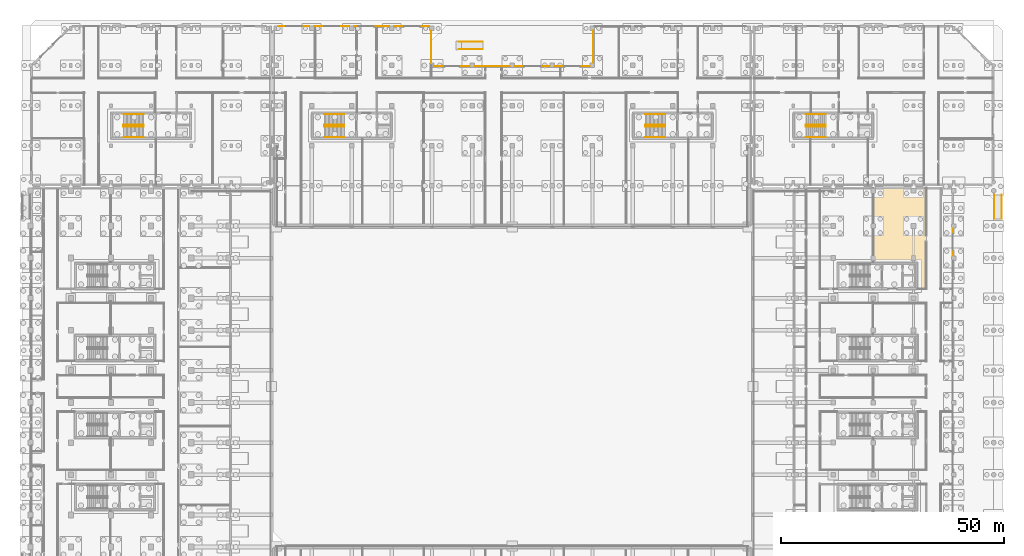
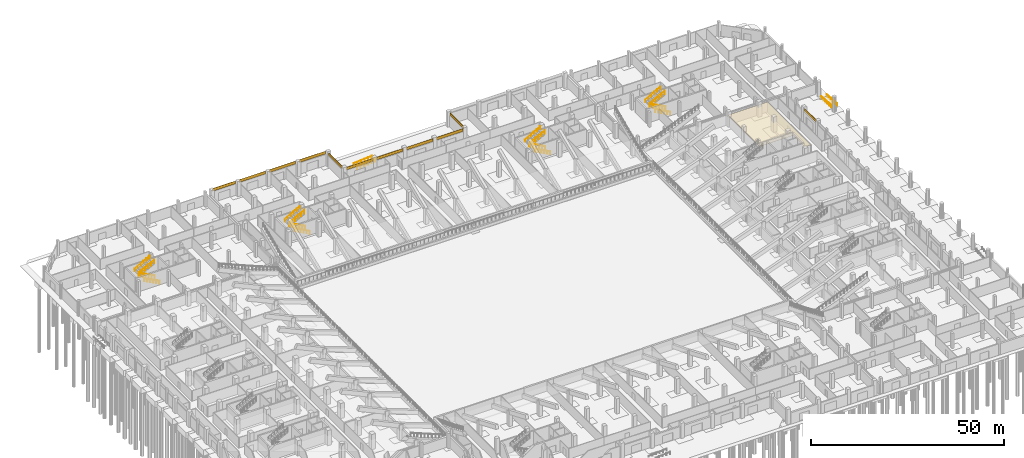
# One storey, part 51 of 53: 16 railings, 12 coverings.
"""IFC4 building model written with IfcOpenShell, lengths in metres."""

import ifcopenshell
import ifcopenshell.guid

model = None  # the IFC model being written
_history = None  # IfcOwnerHistory: only IFC2X3 demands one
_inside = {}  # id of a spatial element -> (the spatial element, [elements in it])
_under = {}  # id of a project, library or spatial element -> (it, [spatial elements below it])
_declared = {}  # id of a project -> (the project, [libraries it declares])
_typed = {}  # id of a type object -> (the type object, [elements of that type])
_made_of = {}  # id of a material, layer set ... -> (it, [elements and type objects made of it])


def new_model(schema):
    """Start an empty IFC model of exactly this schema.

    Asked for "IFC4X3", IfcOpenShell would pick the latest addendum, in which some entities
    have other attributes; the version numbers below select the first issue.
    IFC2X3 requires an IfcOwnerHistory on every rooted entity: one is made here for all.
    """
    global model, _history
    if schema == "IFC4X3":
        model = ifcopenshell.file(schema_version=(4, 3, 0, 0))
    else:
        model = ifcopenshell.file(schema=schema)
    _inside.clear()
    _under.clear()
    _declared.clear()
    _typed.clear()
    _made_of.clear()
    _history = None
    if model.schema == "IFC2X3":
        org = make("IfcOrganization", Name="unknown")
        user = make(
            "IfcPersonAndOrganization",
            ThePerson=make("IfcPerson", FamilyName="unknown"),
            TheOrganization=org,
        )
        app = make(
            "IfcApplication",
            ApplicationDeveloper=org,
            Version="unknown",
            ApplicationFullName="unknown",
            ApplicationIdentifier="unknown",
        )
        _history = make(
            "IfcOwnerHistory",
            OwningUser=user,
            OwningApplication=app,
            ChangeAction="ADDED",
            CreationDate=0,
        )
    return model


def make(cls, **values):
    """One entity of the class cls with the attributes given. An attribute that is None is left unset."""
    return model.create_entity(
        cls, **{name: value for name, value in values.items() if value is not None}
    )


def rooted(cls, **values):
    """An entity with a GlobalId (a new one), such as an element, a storey or a relation."""
    return make(cls, GlobalId=ifcopenshell.guid.new(), OwnerHistory=_history, **values)


def si_unit(unit_type, name, prefix=None):
    """IfcSIUnit, for example si_unit("LENGTHUNIT", "METRE", prefix="MILLI")."""
    return make("IfcSIUnit", UnitType=unit_type, Prefix=prefix, Name=name)


def assignment(units):
    """IfcUnitAssignment: the units of a project."""
    return None if units is None else make("IfcUnitAssignment", Units=units)


def point(xyz):
    """IfcCartesianPoint."""
    return None if xyz is None else make("IfcCartesianPoint", Coordinates=xyz)


def direction(xyz):
    """IfcDirection."""
    return None if xyz is None else make("IfcDirection", DirectionRatios=xyz)


def frame(location, z_axis=None, x_axis=None):
    """IfcAxis2Placement3D, a coordinate frame: its origin and axes. An axis left out is left unset."""
    return make(
        "IfcAxis2Placement3D",
        Location=point(location),
        Axis=direction(z_axis),
        RefDirection=direction(x_axis),
    )


def frame_2d(location, x_axis=None):
    """IfcAxis2Placement2D, a coordinate frame in the plane: its origin and x axis."""
    return make(
        "IfcAxis2Placement2D", Location=point(location), RefDirection=direction(x_axis)
    )


def origin():
    """The frame at (0, 0, 0) with its axes left unset."""
    return frame((0.0, 0.0, 0.0))


def origin_2d():
    """The frame at (0, 0) in the plane with its x axis left unset."""
    return frame_2d((0.0, 0.0))


def place(relative_to, where):
    """IfcLocalPlacement: puts the frame where relative to a parent placement (None: the world)."""
    return make(
        "IfcLocalPlacement", PlacementRelTo=relative_to, RelativePlacement=where
    )


def context(
    kind, dimensions, precision=None, world=None, true_north=None, identifier=None
):
    """IfcGeometricRepresentationContext, for example the 3D "Model" context."""
    return make(
        "IfcGeometricRepresentationContext",
        ContextIdentifier=identifier,
        ContextType=kind,
        CoordinateSpaceDimension=dimensions,
        Precision=precision,
        WorldCoordinateSystem=world,
        TrueNorth=true_north,
    )


def subcontext(parent, identifier, kind, view, scale=None):
    """IfcGeometricRepresentationSubContext, for example "Body" below "Model"."""
    return make(
        "IfcGeometricRepresentationSubContext",
        ContextIdentifier=identifier,
        ContextType=kind,
        ParentContext=parent,
        TargetScale=scale,
        TargetView=view,
    )


def project(units=None, contexts=None):
    """IfcProject with its units and contexts."""
    return rooted(
        "IfcProject",
        Name="project",
        RepresentationContexts=contexts,
        UnitsInContext=assignment(units),
    )


def spatial(cls, under=None, at=None, **own):
    """A site, building, storey or space (cls), placed at a placement, below another one or the project."""
    s = rooted(cls, ObjectPlacement=at, **own)
    if under is not None:
        _under.setdefault(under.id(), (under, []))[1].append(s)
    return s


def polyline(points):
    """IfcPolyline through the points."""
    return make("IfcPolyline", Points=[point(p) for p in points])


def profile(cls, at=None, kind="AREA", **sizes):
    """A parametric profile (cls). Its sizes go by their IFC names, for example OverallWidth=200.0."""
    return make(cls, ProfileType=kind, Position=at, **sizes)


def rectangle(**sizes):
    """IfcRectangleProfileDef."""
    return profile("IfcRectangleProfileDef", **sizes)


def circle(**sizes):
    """IfcCircleProfileDef."""
    return profile("IfcCircleProfileDef", **sizes)


def outline(outer, holes=None, kind="AREA"):
    """IfcArbitraryClosedProfileDef: a profile drawn as a closed curve; with holes, ...WithVoids."""
    if holes is None:
        return make("IfcArbitraryClosedProfileDef", ProfileType=kind, OuterCurve=outer)
    return make(
        "IfcArbitraryProfileDefWithVoids",
        ProfileType=kind,
        OuterCurve=outer,
        InnerCurves=holes,
    )


def extrude(swept, where, along, depth):
    """IfcExtrudedAreaSolid: the profile swept, set in the frame where, extruded along a direction by depth."""
    return make(
        "IfcExtrudedAreaSolid",
        SweptArea=swept,
        Position=where,
        ExtrudedDirection=direction(along),
        Depth=depth,
    )


def shape(context_of_items, identifier, shape_type, items):
    """IfcShapeRepresentation: the items that make up one representation, for example the "Body"."""
    return make(
        "IfcShapeRepresentation",
        ContextOfItems=context_of_items,
        RepresentationIdentifier=identifier,
        RepresentationType=shape_type,
        Items=items,
    )


def material(Name=None, Category=None):
    """IfcMaterial."""
    return make("IfcMaterial", Name=Name, Category=Category)


def layer(
    of_material, thickness, ventilated=None, Name=None, Category=None, Priority=None
):
    """IfcMaterialLayer: one layer of a wall or slab, of a material (None: an air gap)."""
    return make(
        "IfcMaterialLayer",
        Material=of_material,
        LayerThickness=thickness,
        IsVentilated=ventilated,
        Name=Name,
        Category=Category,
        Priority=Priority,
    )


def layer_set(layers, Name=None):
    """IfcMaterialLayerSet."""
    return make("IfcMaterialLayerSet", MaterialLayers=layers, LayerSetName=Name)


def made_of(thing, what):
    """Note that an element or type object is made of a material, layer set ...; save() writes the relation."""
    if what is not None:
        _made_of.setdefault(what.id(), (what, []))[1].append(thing)
    return thing


def type_object(cls, material=None, **own):
    """A type object (cls), such as IfcWallType, which elements share."""
    return made_of(rooted(cls, **own), material)


def element(
    cls,
    number,
    at=None,
    inside=None,
    cuts=None,
    type_object=None,
    material=None,
    context=None,
    identifier="Body",
    shape_type=None,
    held_by="IfcProductDefinitionShape",
    body=None,
    shapes=None,
    **own,
):
    """One element of the class cls, such as IfcWall. Its Tag is "e" and its number.

    at: its placement. inside: the storey or other place that contains it. cuts: it is an
    opening in that element (IfcRelVoidsElement). A single representation is given by context,
    identifier, shape_type and body (its items); several are given by shapes. held_by: the class
    of the entity that holds the representations. save() writes the other relations.
    """
    e = rooted(cls, Tag="e%d" % number, ObjectPlacement=at, **own)
    if body is not None:
        shapes = [shape(context, identifier, shape_type, body)]
    if shapes is not None:
        e.Representation = make(held_by, Representations=shapes)
    if inside is not None:
        _inside.setdefault(inside.id(), (inside, []))[1].append(e)
    if cuts is not None:
        rooted(
            "IfcRelVoidsElement", RelatingBuildingElement=cuts, RelatedOpeningElement=e
        )
    if type_object is not None:
        _typed.setdefault(type_object.id(), (type_object, []))[1].append(e)
    return made_of(e, material)


def aggregate(whole, parts):
    """IfcRelAggregates: a whole, such as a stair, and the parts it consists of."""
    return rooted("IfcRelAggregates", RelatingObject=whole, RelatedObjects=parts)


def save(model, path):
    """Write the relations noted so far, then the file.

    IfcRelAggregates (storeys below a building ...), IfcRelContainedInSpatialStructure (elements
    in a storey), IfcRelDefinesByType, IfcRelAssociatesMaterial and IfcRelDeclares: one each for
    every whole, place, type object, material and project.
    """
    for whole, parts in _under.values():
        aggregate(whole, parts)
    for where, things in _inside.values():
        rooted(
            "IfcRelContainedInSpatialStructure",
            RelatedElements=things,
            RelatingStructure=where,
        )
    for kind, things in _typed.values():
        rooted("IfcRelDefinesByType", RelatedObjects=things, RelatingType=kind)
    for what, things in _made_of.values():
        rooted("IfcRelAssociatesMaterial", RelatedObjects=things, RelatingMaterial=what)
    for by, libraries in _declared.values():
        rooted("IfcRelDeclares", RelatingContext=by, RelatedDefinitions=libraries)
    model.write(path)


model = new_model("IFC4")

# Units and contexts
model_context = context("Model", 3, precision=1e-05, world=origin(), true_north=direction((0.0, 1.0)))
body_context = subcontext(model_context, "Body", "Model", "MODEL_VIEW")
ifc_project = project(units=[si_unit("LENGTHUNIT", "METRE"), si_unit("AREAUNIT", "SQUARE_METRE"), si_unit("VOLUMEUNIT", "CUBIC_METRE"), si_unit("PLANEANGLEUNIT", "RADIAN"), si_unit("MASSUNIT", "GRAM", prefix="KILO"), si_unit("THERMODYNAMICTEMPERATUREUNIT", "KELVIN"), si_unit("POWERUNIT", "WATT")], contexts=[model_context])

# Site, building, storey
site_placement = place(None, origin())
site = spatial("IfcSite", under=ifc_project, at=site_placement, CompositionType="ELEMENT")
building_placement = place(site_placement, origin())
building = spatial("IfcBuilding", under=site, at=building_placement, Name="Sindhuravela Promenade Stadium", CompositionType="ELEMENT")
storey_placement = place(building_placement, origin())
storey = spatial("IfcBuildingStorey", under=building, at=storey_placement, Name="L00", CompositionType="ELEMENT", Elevation=0.0)

# Coverings
ifc_material_1 = material(Name="Acoustic mineral-fibre ceiling tile", Category="gypsum")
ifc_layer_1 = layer(ifc_material_1, 0.02490234375)
ifc_layer_set_1 = layer_set([ifc_layer_1], Name="Acoustic mineral-fibre ceiling tile")
covering_type_1 = type_object("IfcCoveringType", Name="CV-CEIL-1", PredefinedType="CEILING", material=ifc_layer_set_1)
covering_1_placement = place(storey_placement, frame((0.0, 0.0, 3.050048828125)))
element("IfcCovering", 1, at=covering_1_placement, inside=storey, type_object=covering_type_1, Name="Acoustic ceiling Stadium Club Shop", PredefinedType="CEILING", context=body_context, shape_type="SweptSolid", body=[
    extrude(outline(polyline([(200.8798828125, 102.889892578125), (200.8798828125, 102.887939453125), (200.879638671875, 102.885986328125), (200.879150390625, 102.88427734375), (200.87841796875, 102.88232421875), (200.877685546875, 102.880615234375), (200.876708984375, 102.87890625), (200.87548828125, 102.877197265625), (200.8740234375, 102.8759765625), (200.872802734375, 102.87451171875), (200.87109375, 102.873291015625), (200.869384765625, 102.872314453125), (200.86767578125, 102.87158203125), (200.86572265625, 102.870849609375), (200.864013671875, 102.870361328125), (200.862060546875, 102.8701171875), (200.860107421875, 102.8701171875), (199.10009765625, 102.8701171875), (199.097900390625, 102.8701171875), (199.09619140625, 102.870361328125), (199.09423828125, 102.870849609375), (199.09228515625, 102.87158203125), (199.090576171875, 102.872314453125), (199.0888671875, 102.873291015625), (199.08740234375, 102.87451171875), (199.0859375, 102.8759765625), (199.08447265625, 102.877197265625), (199.08349609375, 102.87890625), (199.08251953125, 102.880615234375), (199.08154296875, 102.88232421875), (199.080810546875, 102.88427734375), (199.080322265625, 102.885986328125), (199.080078125, 102.887939453125), (199.080078125, 102.889892578125), (199.080078125, 108.97998046875), (189.070068359375, 108.97998046875), (189.068115234375, 108.97998046875), (189.066162109375, 108.98046875), (189.064208984375, 108.98095703125), (189.062255859375, 108.9814453125), (189.060546875, 108.982421875), (189.058837890625, 108.9833984375), (189.057373046875, 108.984619140625), (189.055908203125, 108.98583984375), (189.054443359375, 108.9873046875), (189.053466796875, 108.989013671875), (189.052490234375, 108.990478515625), (189.051513671875, 108.9921875), (189.05078125, 108.994140625), (189.05029296875, 108.99609375), (189.050048828125, 108.998046875), (189.050048828125, 109.0), (189.050048828125, 125.429931640625), (189.050048828125, 125.431884765625), (189.05029296875, 125.433837890625), (189.05078125, 125.435791015625), (189.051513671875, 125.437744140625), (189.052490234375, 125.439453125), (189.053466796875, 125.441162109375), (189.054443359375, 125.442626953125), (189.055908203125, 125.444091796875), (189.057373046875, 125.445556640625), (189.058837890625, 125.446533203125), (189.060546875, 125.447509765625), (189.062255859375, 125.448486328125), (189.064208984375, 125.44921875), (189.066162109375, 125.44970703125), (189.068115234375, 125.449951171875), (189.070068359375, 125.449951171875), (200.860107421875, 125.449951171875), (200.862060546875, 125.449951171875), (200.864013671875, 125.44970703125), (200.86572265625, 125.44921875), (200.86767578125, 125.448486328125), (200.869384765625, 125.447509765625), (200.87109375, 125.446533203125), (200.872802734375, 125.445556640625), (200.8740234375, 125.444091796875), (200.87548828125, 125.442626953125), (200.876708984375, 125.441162109375), (200.877685546875, 125.439453125), (200.87841796875, 125.437744140625), (200.879150390625, 125.435791015625), (200.879638671875, 125.433837890625), (200.8798828125, 125.431884765625), (200.8798828125, 125.429931640625), (200.8798828125, 102.889892578125)])), origin(), (0.0, 0.0, 1.0), 0.02490234375),
])
ifc_material_2 = material(Name="Polychrome trencadis ceramic mosaic", Category="masonry")
ifc_layer_2 = layer(ifc_material_2, 0.034912109375)
ifc_layer_set_2 = layer_set([ifc_layer_2], Name="Polychrome trencadis ceramic mosaic")
covering_type_2 = type_object("IfcCoveringType", Name="CV-TRENC-1", PredefinedType="CLADDING", material=ifc_layer_set_2)
covering_2_placement = place(storey_placement, frame((206.820068359375, 113.39990234375, 3.55517578125), z_axis=(0.0, 0.0, 1.0), x_axis=(0.0, -1.0, 0.0)))
element("IfcCovering", 2, at=covering_2_placement, inside=storey, type_object=covering_type_2, Name="Trencadis ceramic mosaic spandrel frieze EAST L00-144", PredefinedType="CLADDING", context=body_context, shape_type="SweptSolid", body=[
    extrude(rectangle(XDim=6.070068359375, YDim=0.034912109375, at=origin_2d()), origin(), (0.0, 0.0, 1.0), 0.905029296875),
])
covering_3_placement = place(storey_placement, frame((59.050048828125, 161.820068359375, 3.55517578125), z_axis=(0.0, 0.0, 1.0), x_axis=(1.0, 0.0, 0.0)))
element("IfcCovering", 3, at=covering_3_placement, inside=storey, type_object=covering_type_2, Name="Trencadis ceramic mosaic spandrel frieze NORTH L00-240", PredefinedType="CLADDING", context=body_context, shape_type="SweptSolid", body=[
    extrude(rectangle(XDim=6.77001953125, YDim=0.034912109375, at=origin_2d()), origin(), (0.0, 0.0, 1.0), 0.905029296875),
])
covering_4_placement = place(storey_placement, frame((76.5, 161.820068359375, 3.55517578125), z_axis=(0.0, 0.0, 1.0), x_axis=(1.0, 0.0, 0.0)))
element("IfcCovering", 4, at=covering_4_placement, inside=storey, type_object=covering_type_2, Name="Trencadis ceramic mosaic spandrel frieze NORTH L00-242", PredefinedType="CLADDING", context=body_context, shape_type="SweptSolid", body=[
    extrude(rectangle(XDim=7.8701171875, YDim=0.034912109375, at=origin_2d()), origin(), (0.0, 0.0, 1.0), 0.905029296875),
])
covering_5_placement = place(storey_placement, frame((89.820068359375, 157.14990234375, 3.55517578125), z_axis=(0.0, 0.0, 1.0), x_axis=(0.0, -1.0, 0.0)))
element("IfcCovering", 5, at=covering_5_placement, inside=storey, type_object=covering_type_2, Name="Trencadis ceramic mosaic spandrel frieze NORTH L00-244", PredefinedType="CLADDING", context=body_context, shape_type="SweptSolid", body=[
    extrude(rectangle(XDim=7.169921875, YDim=0.034912109375, at=origin_2d()), origin(), (0.0, 0.0, 1.0), 0.905029296875),
])
for number, where, z_axis, x_axis, name in (
    (6, (103.5, 152.820068359375, 3.55517578125), (0.0, 0.0, 1.0), (1.0, 0.0, 0.0), "Trencadis ceramic mosaic spandrel frieze NORTH L00-246"),
    (7, (121.5, 152.820068359375, 3.55517578125), (0.0, 0.0, 1.0), (1.0, 0.0, 0.0), "Trencadis ceramic mosaic spandrel frieze NORTH L00-248"),
):
    element("IfcCovering", number, at=place(storey_placement, frame(where, z_axis=z_axis, x_axis=x_axis)), inside=storey, type_object=covering_type_2, Name=name, PredefinedType="CLADDING", context=body_context, shape_type="SweptSolid", body=[
        extrude(rectangle(XDim=7.8701171875, YDim=0.034912109375, at=origin_2d()), origin(), (0.0, 0.0, 1.0), 0.905029296875),
    ])
ifc_layer_3 = layer(ifc_material_2, 0.050048828125)
ifc_layer_set_3 = layer_set([ifc_layer_3], Name="Polychrome trencadis ceramic mosaic")
covering_type_3 = type_object("IfcCoveringType", Name="CV-TRENC-2", PredefinedType="CLADDING", material=ifc_layer_set_3)
for number, where, z_axis, x_axis, name in (
    (8, (67.5, 161.820068359375, 3.55517578125), (0.0, 0.0, 1.0), (1.0, 0.0, 0.0), "Trencadis ceramic mosaic spandrel frieze NORTH L00-241"),
    (9, (85.5, 161.820068359375, 3.55517578125), (0.0, 0.0, 1.0), (1.0, 0.0, 0.0), "Trencadis ceramic mosaic spandrel frieze NORTH L00-243"),
    (10, (94.5, 152.820068359375, 3.55517578125), (0.0, 0.0, 1.0), (1.0, 0.0, 0.0), "Trencadis ceramic mosaic spandrel frieze NORTH L00-245"),
    (11, (112.5, 152.820068359375, 3.55517578125), (0.0, 0.0, 1.0), (1.0, 0.0, 0.0), "Trencadis ceramic mosaic spandrel frieze NORTH L00-247"),
):
    element("IfcCovering", number, at=place(storey_placement, frame(where, z_axis=z_axis, x_axis=x_axis)), inside=storey, type_object=covering_type_3, Name=name, PredefinedType="CLADDING", context=body_context, shape_type="SweptSolid", body=[
        extrude(rectangle(XDim=7.8701171875, YDim=0.050048828125, at=origin_2d()), origin(), (0.0, 0.0, 1.0), 0.905029296875),
    ])
covering_6_placement = place(storey_placement, frame((126.179931640625, 157.14990234375, 3.55517578125), z_axis=(0.0, 0.0, 1.0), x_axis=(0.0, 1.0, 0.0)))
element("IfcCovering", 12, at=covering_6_placement, inside=storey, type_object=covering_type_3, Name="Trencadis ceramic mosaic spandrel frieze NORTH L00-249", PredefinedType="CLADDING", context=body_context, shape_type="SweptSolid", body=[
    extrude(rectangle(XDim=7.169921875, YDim=0.050048828125, at=origin_2d()), origin(), (0.0, 0.0, 1.0), 0.905029296875),
])

# Railings
ifc_material_3 = material(Name="Architectural wrought steel E350", Category="steel")
railing_type_1 = type_object("IfcRailingType", Name="RL-GRD-1150", PredefinedType="GUARDRAIL", material=ifc_material_3)
railing_1_placement = place(storey_placement, frame((70.35009765625, 139.31005859375, 0.0)))
element("IfcRailing", 13, at=railing_1_placement, inside=storey, type_object=railing_type_1, Name="Stair ST09 inner well guard (L00)", PredefinedType="GUARDRAIL", context=body_context, shape_type="SweptSolid", body=[
    extrude(circle(Radius=0.02392578125, at=origin_2d()), frame((0.0, 0.0, 1.1259765625), z_axis=(-0.8836546633431795, 0.0, 0.46813933390802775), x_axis=(0.0, -1.0, 0.0)), (0.0, 0.0, 1.0), 5.12646484375),
    extrude(circle(Radius=0.02392578125, at=origin_2d()), frame((-4.530029296875, 0.0, 3.52587890625), z_axis=(0.0, 1.0, 0.0), x_axis=(-1.0, 0.0, 0.0)), (0.0, 0.0, 1.0), 0.3798828125),
    extrude(circle(Radius=0.02392578125, at=origin_2d()), frame((-4.530029296875, 0.3798828125, 3.52587890625), z_axis=(0.8836349624059475, 0.0, 0.46817651928929505), x_axis=(0.0, 1.0, 0.0)), (0.0, 0.0, 1.0), 5.12646484375),
    extrude(circle(Radius=0.02099609375, at=origin_2d()), origin(), (0.0, 0.0, 1.0), 1.101806640625),
    extrude(circle(Radius=0.02099609375, at=origin_2d()), frame((-0.906005859375, 0.0, 0.47998046875)), (0.0, 0.0, 1.0), 1.101806640625),
    extrude(circle(Radius=0.02099609375, at=origin_2d()), frame((-1.81201171875, 0.0, 0.9599609375)), (0.0, 0.0, 1.0), 1.101806640625),
    extrude(circle(Radius=0.02099609375, at=origin_2d()), frame((-2.718017578125, 0.0, 1.43994140625)), (0.0, 0.0, 1.0), 1.101806640625),
    extrude(circle(Radius=0.02099609375, at=origin_2d()), frame((-3.6240234375, 0.0, 1.919921875)), (0.0, 0.0, 1.0), 1.101806640625),
    extrude(circle(Radius=0.02099609375, at=origin_2d()), frame((-4.530029296875, 0.0, 2.39990234375)), (0.0, 0.0, 1.0), 1.101806640625),
    extrude(circle(Radius=0.02099609375, at=origin_2d()), frame((-4.530029296875, 0.3798828125, 2.39990234375)), (0.0, 0.0, 1.0), 1.101806640625),
    extrude(circle(Radius=0.02099609375, at=origin_2d()), frame((-3.6240234375, 0.3798828125, 2.8798828125)), (0.0, 0.0, 1.0), 1.101806640625),
    extrude(circle(Radius=0.02099609375, at=origin_2d()), frame((-2.718017578125, 0.3798828125, 3.35986328125)), (0.0, 0.0, 1.0), 1.101806640625),
    extrude(circle(Radius=0.02099609375, at=origin_2d()), frame((-1.81201171875, 0.3798828125, 3.840087890625)), (0.0, 0.0, 1.0), 1.101806640625),
    extrude(circle(Radius=0.02099609375, at=origin_2d()), frame((-0.906005859375, 0.3798828125, 4.320068359375)), (0.0, 0.0, 1.0), 1.101806640625),
    extrude(circle(Radius=0.02099609375, at=origin_2d()), frame((0.0, 0.3798828125, 4.800048828125)), (0.0, 0.0, 1.0), 1.101806640625),
])
railing_2_placement = place(storey_placement, frame((142.35009765625, 139.31005859375, 0.0)))
element("IfcRailing", 14, at=railing_2_placement, inside=storey, type_object=railing_type_1, Name="Stair ST10 inner well guard (L00)", PredefinedType="GUARDRAIL", context=body_context, shape_type="SweptSolid", body=[
    extrude(circle(Radius=0.02392578125, at=origin_2d()), frame((0.0, 0.0, 1.1259765625), z_axis=(-0.8836546633431795, 0.0, 0.46813933390802775), x_axis=(0.0, -1.0, 0.0)), (0.0, 0.0, 1.0), 5.12646484375),
    extrude(circle(Radius=0.02392578125, at=origin_2d()), frame((-4.530029296875, 0.0, 3.52587890625), z_axis=(0.0, 1.0, 0.0), x_axis=(-1.0, 0.0, 0.0)), (0.0, 0.0, 1.0), 0.3798828125),
    extrude(circle(Radius=0.02392578125, at=origin_2d()), frame((-4.530029296875, 0.3798828125, 3.52587890625), z_axis=(0.8836349624059475, 0.0, 0.46817651928929505), x_axis=(0.0, 1.0, 0.0)), (0.0, 0.0, 1.0), 5.12646484375),
    extrude(circle(Radius=0.02099609375, at=origin_2d()), origin(), (0.0, 0.0, 1.0), 1.101806640625),
    extrude(circle(Radius=0.02099609375, at=origin_2d()), frame((-0.906005859375, 0.0, 0.47998046875)), (0.0, 0.0, 1.0), 1.101806640625),
    extrude(circle(Radius=0.02099609375, at=origin_2d()), frame((-1.81201171875, 0.0, 0.9599609375)), (0.0, 0.0, 1.0), 1.101806640625),
    extrude(circle(Radius=0.02099609375, at=origin_2d()), frame((-2.718017578125, 0.0, 1.43994140625)), (0.0, 0.0, 1.0), 1.101806640625),
    extrude(circle(Radius=0.02099609375, at=origin_2d()), frame((-3.6240234375, 0.0, 1.919921875)), (0.0, 0.0, 1.0), 1.101806640625),
    extrude(circle(Radius=0.02099609375, at=origin_2d()), frame((-4.530029296875, 0.0, 2.39990234375)), (0.0, 0.0, 1.0), 1.101806640625),
    extrude(circle(Radius=0.02099609375, at=origin_2d()), frame((-4.530029296875, 0.3798828125, 2.39990234375)), (0.0, 0.0, 1.0), 1.101806640625),
    extrude(circle(Radius=0.02099609375, at=origin_2d()), frame((-3.6240234375, 0.3798828125, 2.8798828125)), (0.0, 0.0, 1.0), 1.101806640625),
    extrude(circle(Radius=0.02099609375, at=origin_2d()), frame((-2.718017578125, 0.3798828125, 3.35986328125)), (0.0, 0.0, 1.0), 1.101806640625),
    extrude(circle(Radius=0.02099609375, at=origin_2d()), frame((-1.81201171875, 0.3798828125, 3.840087890625)), (0.0, 0.0, 1.0), 1.101806640625),
    extrude(circle(Radius=0.02099609375, at=origin_2d()), frame((-0.906005859375, 0.3798828125, 4.320068359375)), (0.0, 0.0, 1.0), 1.101806640625),
    extrude(circle(Radius=0.02099609375, at=origin_2d()), frame((0.0, 0.3798828125, 4.800048828125)), (0.0, 0.0, 1.0), 1.101806640625),
])
railing_3_placement = place(storey_placement, frame((25.35009765625, 139.31005859375, 0.0)))
element("IfcRailing", 15, at=railing_3_placement, inside=storey, type_object=railing_type_1, Name="Stair GS03 inner well guard (L00)", PredefinedType="GUARDRAIL", context=body_context, shape_type="SweptSolid", body=[
    extrude(circle(Radius=0.02392578125, at=origin_2d()), frame((0.0, 0.0, 1.1259765625), z_axis=(-0.8836546633431795, 0.0, 0.46813933390802775), x_axis=(0.0, -1.0, 0.0)), (0.0, 0.0, 1.0), 5.12646484375),
    extrude(circle(Radius=0.02392578125, at=origin_2d()), frame((-4.530029296875, 0.0, 3.52587890625), z_axis=(0.0, 1.0, 0.0), x_axis=(-1.0, 0.0, 0.0)), (0.0, 0.0, 1.0), 0.3798828125),
    extrude(circle(Radius=0.02392578125, at=origin_2d()), frame((-4.530029296875, 0.3798828125, 3.52587890625), z_axis=(0.8836349624059475, 0.0, 0.46817651928929505), x_axis=(0.0, 1.0, 0.0)), (0.0, 0.0, 1.0), 5.12646484375),
    extrude(circle(Radius=0.02099609375, at=origin_2d()), origin(), (0.0, 0.0, 1.0), 1.101806640625),
    extrude(circle(Radius=0.02099609375, at=origin_2d()), frame((-0.906005859375, 0.0, 0.47998046875)), (0.0, 0.0, 1.0), 1.101806640625),
    extrude(circle(Radius=0.02099609375, at=origin_2d()), frame((-1.81201171875, 0.0, 0.9599609375)), (0.0, 0.0, 1.0), 1.101806640625),
    extrude(circle(Radius=0.02099609375, at=origin_2d()), frame((-2.718017578125, 0.0, 1.43994140625)), (0.0, 0.0, 1.0), 1.101806640625),
    extrude(circle(Radius=0.02099609375, at=origin_2d()), frame((-3.6240234375, 0.0, 1.919921875)), (0.0, 0.0, 1.0), 1.101806640625),
    extrude(circle(Radius=0.02099609375, at=origin_2d()), frame((-4.530029296875, 0.0, 2.39990234375)), (0.0, 0.0, 1.0), 1.101806640625),
    extrude(circle(Radius=0.02099609375, at=origin_2d()), frame((-4.530029296875, 0.3798828125, 2.39990234375)), (0.0, 0.0, 1.0), 1.101806640625),
    extrude(circle(Radius=0.02099609375, at=origin_2d()), frame((-3.6240234375, 0.3798828125, 2.8798828125)), (0.0, 0.0, 1.0), 1.101806640625),
    extrude(circle(Radius=0.02099609375, at=origin_2d()), frame((-2.718017578125, 0.3798828125, 3.35986328125)), (0.0, 0.0, 1.0), 1.101806640625),
    extrude(circle(Radius=0.02099609375, at=origin_2d()), frame((-1.81201171875, 0.3798828125, 3.840087890625)), (0.0, 0.0, 1.0), 1.101806640625),
    extrude(circle(Radius=0.02099609375, at=origin_2d()), frame((-0.906005859375, 0.3798828125, 4.320068359375)), (0.0, 0.0, 1.0), 1.101806640625),
    extrude(circle(Radius=0.02099609375, at=origin_2d()), frame((0.0, 0.3798828125, 4.800048828125)), (0.0, 0.0, 1.0), 1.101806640625),
])
railing_4_placement = place(storey_placement, frame((178.35009765625, 139.31005859375, 0.0)))
element("IfcRailing", 16, at=railing_4_placement, inside=storey, type_object=railing_type_1, Name="Stair GS04 inner well guard (L00)", PredefinedType="GUARDRAIL", context=body_context, shape_type="SweptSolid", body=[
    extrude(circle(Radius=0.02392578125, at=origin_2d()), frame((0.0, 0.0, 1.1259765625), z_axis=(-0.8836546633431795, 0.0, 0.46813933390802775), x_axis=(0.0, -1.0, 0.0)), (0.0, 0.0, 1.0), 5.12646484375),
    extrude(circle(Radius=0.02392578125, at=origin_2d()), frame((-4.530029296875, 0.0, 3.52587890625), z_axis=(0.0, 1.0, 0.0), x_axis=(-1.0, 0.0, 0.0)), (0.0, 0.0, 1.0), 0.3798828125),
    extrude(circle(Radius=0.02392578125, at=origin_2d()), frame((-4.530029296875, 0.3798828125, 3.52587890625), z_axis=(0.8836349624059475, 0.0, 0.46817651928929505), x_axis=(0.0, 1.0, 0.0)), (0.0, 0.0, 1.0), 5.12646484375),
    extrude(circle(Radius=0.02099609375, at=origin_2d()), origin(), (0.0, 0.0, 1.0), 1.101806640625),
    extrude(circle(Radius=0.02099609375, at=origin_2d()), frame((-0.906005859375, 0.0, 0.47998046875)), (0.0, 0.0, 1.0), 1.101806640625),
    extrude(circle(Radius=0.02099609375, at=origin_2d()), frame((-1.81201171875, 0.0, 0.9599609375)), (0.0, 0.0, 1.0), 1.101806640625),
    extrude(circle(Radius=0.02099609375, at=origin_2d()), frame((-2.718017578125, 0.0, 1.43994140625)), (0.0, 0.0, 1.0), 1.101806640625),
    extrude(circle(Radius=0.02099609375, at=origin_2d()), frame((-3.6240234375, 0.0, 1.919921875)), (0.0, 0.0, 1.0), 1.101806640625),
    extrude(circle(Radius=0.02099609375, at=origin_2d()), frame((-4.530029296875, 0.0, 2.39990234375)), (0.0, 0.0, 1.0), 1.101806640625),
    extrude(circle(Radius=0.02099609375, at=origin_2d()), frame((-4.530029296875, 0.3798828125, 2.39990234375)), (0.0, 0.0, 1.0), 1.101806640625),
    extrude(circle(Radius=0.02099609375, at=origin_2d()), frame((-3.6240234375, 0.3798828125, 2.8798828125)), (0.0, 0.0, 1.0), 1.101806640625),
    extrude(circle(Radius=0.02099609375, at=origin_2d()), frame((-2.718017578125, 0.3798828125, 3.35986328125)), (0.0, 0.0, 1.0), 1.101806640625),
    extrude(circle(Radius=0.02099609375, at=origin_2d()), frame((-1.81201171875, 0.3798828125, 3.840087890625)), (0.0, 0.0, 1.0), 1.101806640625),
    extrude(circle(Radius=0.02099609375, at=origin_2d()), frame((-0.906005859375, 0.3798828125, 4.320068359375)), (0.0, 0.0, 1.0), 1.101806640625),
    extrude(circle(Radius=0.02099609375, at=origin_2d()), frame((0.0, 0.3798828125, 4.800048828125)), (0.0, 0.0, 1.0), 1.101806640625),
])
railing_type_2 = type_object("IfcRailingType", Name="RL-HND-920", PredefinedType="HANDRAIL", material=ifc_material_3)
railing_5_placement = place(storey_placement, frame((70.35009765625, 136.919921875, 0.0)))
element("IfcRailing", 17, at=railing_5_placement, inside=storey, type_object=railing_type_2, Name="Stair ST09 lower wall handrail (L00)", PredefinedType="HANDRAIL", context=body_context, shape_type="SweptSolid", body=[
    extrude(circle(Radius=0.02392578125, at=origin_2d()), frame((0.0, 0.0, 0.89599609375), z_axis=(-0.8823608919668723, 0.0, 0.4705733272588083), x_axis=(0.0, -1.0, 0.0)), (0.0, 0.0, 1.0), 5.099853515625),
    extrude(circle(Radius=0.02099609375, at=origin_2d()), origin(), (0.0, 0.0, 1.0), 0.871826171875),
    extrude(circle(Radius=0.02099609375, at=origin_2d()), frame((-0.89990234375, 0.0, 0.47998046875)), (0.0, 0.0, 1.0), 0.871826171875),
    extrude(circle(Radius=0.02099609375, at=origin_2d()), frame((-1.800048828125, 0.0, 0.9599609375)), (0.0, 0.0, 1.0), 0.871826171875),
    extrude(circle(Radius=0.02099609375, at=origin_2d()), frame((-2.699951171875, 0.0, 1.43994140625)), (0.0, 0.0, 1.0), 0.871826171875),
    extrude(circle(Radius=0.02099609375, at=origin_2d()), frame((-3.60009765625, 0.0, 1.919921875)), (0.0, 0.0, 1.0), 0.871826171875),
    extrude(circle(Radius=0.02099609375, at=origin_2d()), frame((-4.5, 0.0, 2.39990234375)), (0.0, 0.0, 1.0), 0.871826171875),
])
railing_6_placement = place(storey_placement, frame((65.85009765625, 142.080078125, 2.39990234375)))
element("IfcRailing", 18, at=railing_6_placement, inside=storey, type_object=railing_type_2, Name="Stair ST09 upper wall handrail (L00)", PredefinedType="HANDRAIL", context=body_context, shape_type="SweptSolid", body=[
    extrude(circle(Radius=0.02392578125, at=origin_2d()), frame((0.0, 0.0, 0.89599609375), z_axis=(0.8823410147872734, 0.0, 0.47061059659145427), x_axis=(0.0, 1.0, 0.0)), (0.0, 0.0, 1.0), 5.10009765625),
    extrude(circle(Radius=0.02099609375, at=origin_2d()), origin(), (0.0, 0.0, 1.0), 0.871826171875),
    extrude(circle(Radius=0.02099609375, at=origin_2d()), frame((0.89990234375, 0.0, 0.47998046875)), (0.0, 0.0, 1.0), 0.871826171875),
    extrude(circle(Radius=0.02099609375, at=origin_2d()), frame((1.800048828125, 0.0, 0.9599609375)), (0.0, 0.0, 1.0), 0.871826171875),
    extrude(circle(Radius=0.02099609375, at=origin_2d()), frame((2.699951171875, 0.0, 1.440185546875)), (0.0, 0.0, 1.0), 0.871826171875),
    extrude(circle(Radius=0.02099609375, at=origin_2d()), frame((3.60009765625, 0.0, 1.920166015625)), (0.0, 0.0, 1.0), 0.871826171875),
    extrude(circle(Radius=0.02099609375, at=origin_2d()), frame((4.5, 0.0, 2.400146484375)), (0.0, 0.0, 1.0), 0.871826171875),
])
railing_7_placement = place(storey_placement, frame((142.35009765625, 136.919921875, 0.0)))
element("IfcRailing", 19, at=railing_7_placement, inside=storey, type_object=railing_type_2, Name="Stair ST10 lower wall handrail (L00)", PredefinedType="HANDRAIL", context=body_context, shape_type="SweptSolid", body=[
    extrude(circle(Radius=0.02392578125, at=origin_2d()), frame((0.0, 0.0, 0.89599609375), z_axis=(-0.8823608919668723, 0.0, 0.4705733272588083), x_axis=(0.0, -1.0, 0.0)), (0.0, 0.0, 1.0), 5.099853515625),
    extrude(circle(Radius=0.02099609375, at=origin_2d()), origin(), (0.0, 0.0, 1.0), 0.871826171875),
    extrude(circle(Radius=0.02099609375, at=origin_2d()), frame((-0.89990234375, 0.0, 0.47998046875)), (0.0, 0.0, 1.0), 0.871826171875),
    extrude(circle(Radius=0.02099609375, at=origin_2d()), frame((-1.800048828125, 0.0, 0.9599609375)), (0.0, 0.0, 1.0), 0.871826171875),
    extrude(circle(Radius=0.02099609375, at=origin_2d()), frame((-2.699951171875, 0.0, 1.43994140625)), (0.0, 0.0, 1.0), 0.871826171875),
    extrude(circle(Radius=0.02099609375, at=origin_2d()), frame((-3.60009765625, 0.0, 1.919921875)), (0.0, 0.0, 1.0), 0.871826171875),
    extrude(circle(Radius=0.02099609375, at=origin_2d()), frame((-4.5, 0.0, 2.39990234375)), (0.0, 0.0, 1.0), 0.871826171875),
])
railing_8_placement = place(storey_placement, frame((137.85009765625, 142.080078125, 2.39990234375)))
element("IfcRailing", 20, at=railing_8_placement, inside=storey, type_object=railing_type_2, Name="Stair ST10 upper wall handrail (L00)", PredefinedType="HANDRAIL", context=body_context, shape_type="SweptSolid", body=[
    extrude(circle(Radius=0.02392578125, at=origin_2d()), frame((0.0, 0.0, 0.89599609375), z_axis=(0.8823410147872734, 0.0, 0.47061059659145427), x_axis=(0.0, 1.0, 0.0)), (0.0, 0.0, 1.0), 5.10009765625),
    extrude(circle(Radius=0.02099609375, at=origin_2d()), origin(), (0.0, 0.0, 1.0), 0.871826171875),
    extrude(circle(Radius=0.02099609375, at=origin_2d()), frame((0.89990234375, 0.0, 0.47998046875)), (0.0, 0.0, 1.0), 0.871826171875),
    extrude(circle(Radius=0.02099609375, at=origin_2d()), frame((1.800048828125, 0.0, 0.9599609375)), (0.0, 0.0, 1.0), 0.871826171875),
    extrude(circle(Radius=0.02099609375, at=origin_2d()), frame((2.699951171875, 0.0, 1.440185546875)), (0.0, 0.0, 1.0), 0.871826171875),
    extrude(circle(Radius=0.02099609375, at=origin_2d()), frame((3.60009765625, 0.0, 1.920166015625)), (0.0, 0.0, 1.0), 0.871826171875),
    extrude(circle(Radius=0.02099609375, at=origin_2d()), frame((4.5, 0.0, 2.400146484375)), (0.0, 0.0, 1.0), 0.871826171875),
])
railing_9_placement = place(storey_placement, frame((25.35009765625, 136.919921875, 0.0)))
element("IfcRailing", 21, at=railing_9_placement, inside=storey, type_object=railing_type_2, Name="Stair GS03 lower wall handrail (L00)", PredefinedType="HANDRAIL", context=body_context, shape_type="SweptSolid", body=[
    extrude(circle(Radius=0.02392578125, at=origin_2d()), frame((0.0, 0.0, 0.89599609375), z_axis=(-0.8823608919668723, 0.0, 0.4705733272588083), x_axis=(0.0, -1.0, 0.0)), (0.0, 0.0, 1.0), 5.099853515625),
    extrude(circle(Radius=0.02099609375, at=origin_2d()), origin(), (0.0, 0.0, 1.0), 0.871826171875),
    extrude(circle(Radius=0.02099609375, at=origin_2d()), frame((-0.89990234375, 0.0, 0.47998046875)), (0.0, 0.0, 1.0), 0.871826171875),
    extrude(circle(Radius=0.02099609375, at=origin_2d()), frame((-1.800048828125, 0.0, 0.9599609375)), (0.0, 0.0, 1.0), 0.871826171875),
    extrude(circle(Radius=0.02099609375, at=origin_2d()), frame((-2.699951171875, 0.0, 1.43994140625)), (0.0, 0.0, 1.0), 0.871826171875),
    extrude(circle(Radius=0.02099609375, at=origin_2d()), frame((-3.60009765625, 0.0, 1.919921875)), (0.0, 0.0, 1.0), 0.871826171875),
    extrude(circle(Radius=0.02099609375, at=origin_2d()), frame((-4.5, 0.0, 2.39990234375)), (0.0, 0.0, 1.0), 0.871826171875),
])
railing_10_placement = place(storey_placement, frame((20.85009765625, 142.080078125, 2.39990234375)))
element("IfcRailing", 22, at=railing_10_placement, inside=storey, type_object=railing_type_2, Name="Stair GS03 upper wall handrail (L00)", PredefinedType="HANDRAIL", context=body_context, shape_type="SweptSolid", body=[
    extrude(circle(Radius=0.02392578125, at=origin_2d()), frame((0.0, 0.0, 0.89599609375), z_axis=(0.8823410147872734, 0.0, 0.47061059659145427), x_axis=(0.0, 1.0, 0.0)), (0.0, 0.0, 1.0), 5.10009765625),
    extrude(circle(Radius=0.02099609375, at=origin_2d()), origin(), (0.0, 0.0, 1.0), 0.871826171875),
    extrude(circle(Radius=0.02099609375, at=origin_2d()), frame((0.89990234375, 0.0, 0.47998046875)), (0.0, 0.0, 1.0), 0.871826171875),
    extrude(circle(Radius=0.02099609375, at=origin_2d()), frame((1.800048828125, 0.0, 0.9599609375)), (0.0, 0.0, 1.0), 0.871826171875),
    extrude(circle(Radius=0.02099609375, at=origin_2d()), frame((2.699951171875, 0.0, 1.440185546875)), (0.0, 0.0, 1.0), 0.871826171875),
    extrude(circle(Radius=0.02099609375, at=origin_2d()), frame((3.60009765625, 0.0, 1.920166015625)), (0.0, 0.0, 1.0), 0.871826171875),
    extrude(circle(Radius=0.02099609375, at=origin_2d()), frame((4.5, 0.0, 2.400146484375)), (0.0, 0.0, 1.0), 0.871826171875),
])
railing_11_placement = place(storey_placement, frame((178.35009765625, 136.919921875, 0.0)))
element("IfcRailing", 23, at=railing_11_placement, inside=storey, type_object=railing_type_2, Name="Stair GS04 lower wall handrail (L00)", PredefinedType="HANDRAIL", context=body_context, shape_type="SweptSolid", body=[
    extrude(circle(Radius=0.02392578125, at=origin_2d()), frame((0.0, 0.0, 0.89599609375), z_axis=(-0.8823608919668723, 0.0, 0.4705733272588083), x_axis=(0.0, -1.0, 0.0)), (0.0, 0.0, 1.0), 5.099853515625),
    extrude(circle(Radius=0.02099609375, at=origin_2d()), origin(), (0.0, 0.0, 1.0), 0.871826171875),
    extrude(circle(Radius=0.02099609375, at=origin_2d()), frame((-0.89990234375, 0.0, 0.47998046875)), (0.0, 0.0, 1.0), 0.871826171875),
    extrude(circle(Radius=0.02099609375, at=origin_2d()), frame((-1.800048828125, 0.0, 0.9599609375)), (0.0, 0.0, 1.0), 0.871826171875),
    extrude(circle(Radius=0.02099609375, at=origin_2d()), frame((-2.699951171875, 0.0, 1.43994140625)), (0.0, 0.0, 1.0), 0.871826171875),
    extrude(circle(Radius=0.02099609375, at=origin_2d()), frame((-3.60009765625, 0.0, 1.919921875)), (0.0, 0.0, 1.0), 0.871826171875),
    extrude(circle(Radius=0.02099609375, at=origin_2d()), frame((-4.5, 0.0, 2.39990234375)), (0.0, 0.0, 1.0), 0.871826171875),
])
railing_12_placement = place(storey_placement, frame((173.85009765625, 142.080078125, 2.39990234375)))
element("IfcRailing", 24, at=railing_12_placement, inside=storey, type_object=railing_type_2, Name="Stair GS04 upper wall handrail (L00)", PredefinedType="HANDRAIL", context=body_context, shape_type="SweptSolid", body=[
    extrude(circle(Radius=0.02392578125, at=origin_2d()), frame((0.0, 0.0, 0.89599609375), z_axis=(0.8823410147872734, 0.0, 0.47061059659145427), x_axis=(0.0, 1.0, 0.0)), (0.0, 0.0, 1.0), 5.10009765625),
    extrude(circle(Radius=0.02099609375, at=origin_2d()), origin(), (0.0, 0.0, 1.0), 0.871826171875),
    extrude(circle(Radius=0.02099609375, at=origin_2d()), frame((0.89990234375, 0.0, 0.47998046875)), (0.0, 0.0, 1.0), 0.871826171875),
    extrude(circle(Radius=0.02099609375, at=origin_2d()), frame((1.800048828125, 0.0, 0.9599609375)), (0.0, 0.0, 1.0), 0.871826171875),
    extrude(circle(Radius=0.02099609375, at=origin_2d()), frame((2.699951171875, 0.0, 1.440185546875)), (0.0, 0.0, 1.0), 0.871826171875),
    extrude(circle(Radius=0.02099609375, at=origin_2d()), frame((3.60009765625, 0.0, 1.920166015625)), (0.0, 0.0, 1.0), 0.871826171875),
    extrude(circle(Radius=0.02099609375, at=origin_2d()), frame((4.5, 0.0, 2.400146484375)), (0.0, 0.0, 1.0), 0.871826171875),
])
for number, where, name in (
    (25, (216.139892578125, 124.0, -0.449951171875), "East promenade north step-free ramp handrail 1"),
    (26, (217.820068359375, 124.0, -0.449951171875), "East promenade north step-free ramp handrail 2"),
):
    element("IfcRailing", number, at=place(storey_placement, frame(where)), inside=storey, type_object=railing_type_2, Name=name, PredefinedType="HANDRAIL", context=body_context, shape_type="SweptSolid", body=[
        extrude(circle(Radius=0.02392578125, at=origin_2d()), frame((0.0, 0.0, 0.89599609375), z_axis=(0.0, -0.9965463796776552, 0.08303802232326245), x_axis=(1.0, 0.0, 0.0)), (0.0, 0.0, 1.0), 5.418701171875),
        extrude(circle(Radius=0.02099609375, at=origin_2d()), origin(), (0.0, 0.0, 1.0), 0.871826171875),
        extrude(circle(Radius=0.02099609375, at=origin_2d()), frame((0.0, -1.080078125, 0.090087890625)), (0.0, 0.0, 1.0), 0.871826171875),
        extrude(circle(Radius=0.02099609375, at=origin_2d()), frame((0.0, -2.159912109375, 0.179931640625)), (0.0, 0.0, 1.0), 0.871826171875),
        extrude(circle(Radius=0.02099609375, at=origin_2d()), frame((0.0, -3.239990234375, 0.27001953125)), (0.0, 0.0, 1.0), 0.871826171875),
        extrude(circle(Radius=0.02099609375, at=origin_2d()), frame((0.0, -4.31982421875, 0.35986328125)), (0.0, 0.0, 1.0), 0.871826171875),
        extrude(circle(Radius=0.02099609375, at=origin_2d()), frame((0.0, -5.39990234375, 0.449951171875)), (0.0, 0.0, 1.0), 0.871826171875),
    ])
for number, where, name in (
    (27, (96.0, 156.659912109375, -0.449951171875), "North civic court step-free ramp handrail 1"),
    (28, (96.0, 158.340087890625, -0.449951171875), "North civic court step-free ramp handrail 2"),
):
    element("IfcRailing", number, at=place(storey_placement, frame(where)), inside=storey, type_object=railing_type_2, Name=name, PredefinedType="HANDRAIL", context=body_context, shape_type="SweptSolid", body=[
        extrude(circle(Radius=0.02392578125, at=origin_2d()), frame((0.0, 0.0, 0.89599609375), z_axis=(0.9965463796776552, 0.0, 0.08303802232326245), x_axis=(0.0, 1.0, 0.0)), (0.0, 0.0, 1.0), 5.418701171875),
        extrude(circle(Radius=0.02099609375, at=origin_2d()), origin(), (0.0, 0.0, 1.0), 0.871826171875),
        extrude(circle(Radius=0.02099609375, at=origin_2d()), frame((1.080078125, 0.0, 0.090087890625)), (0.0, 0.0, 1.0), 0.871826171875),
        extrude(circle(Radius=0.02099609375, at=origin_2d()), frame((2.159912109375, 0.0, 0.179931640625)), (0.0, 0.0, 1.0), 0.871826171875),
        extrude(circle(Radius=0.02099609375, at=origin_2d()), frame((3.239990234375, 0.0, 0.27001953125)), (0.0, 0.0, 1.0), 0.871826171875),
        extrude(circle(Radius=0.02099609375, at=origin_2d()), frame((4.31982421875, 0.0, 0.35986328125)), (0.0, 0.0, 1.0), 0.871826171875),
        extrude(circle(Radius=0.02099609375, at=origin_2d()), frame((5.39990234375, 0.0, 0.449951171875)), (0.0, 0.0, 1.0), 0.871826171875),
    ])

save(model, "model.ifc")
